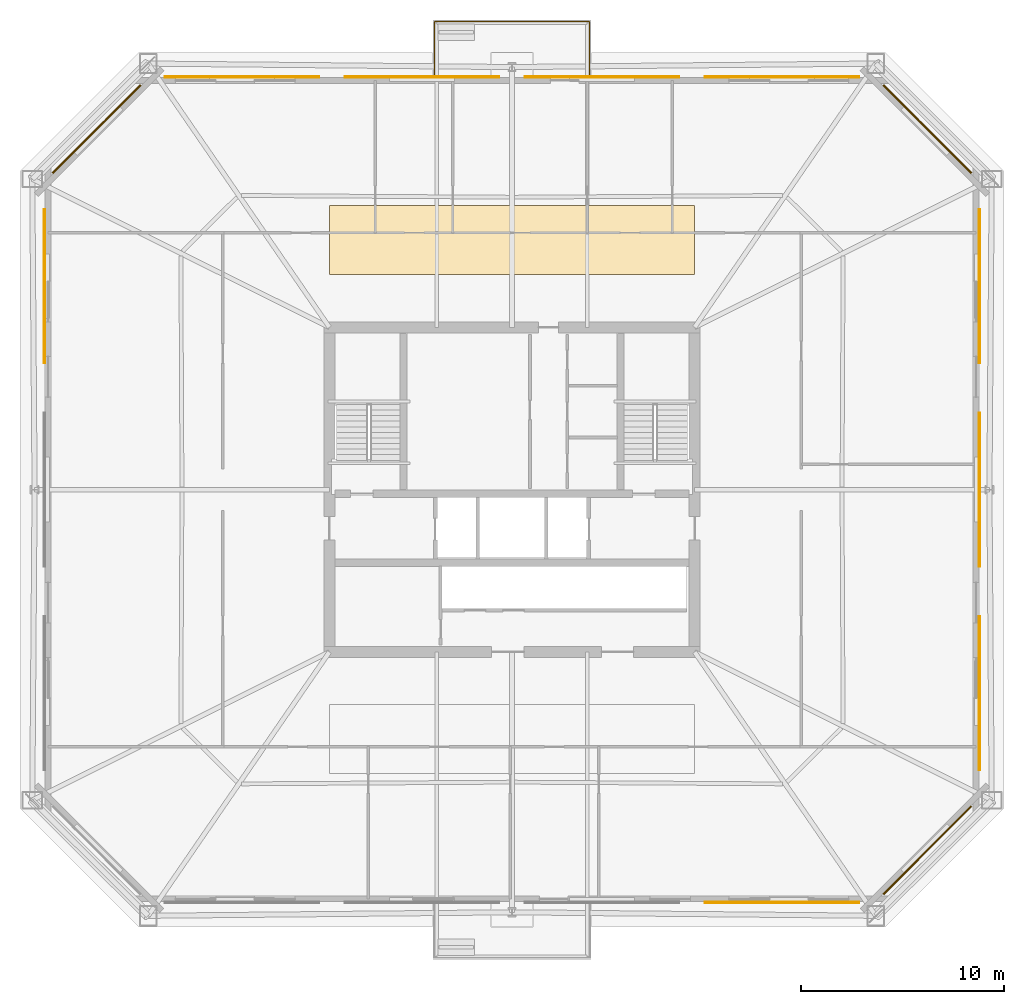
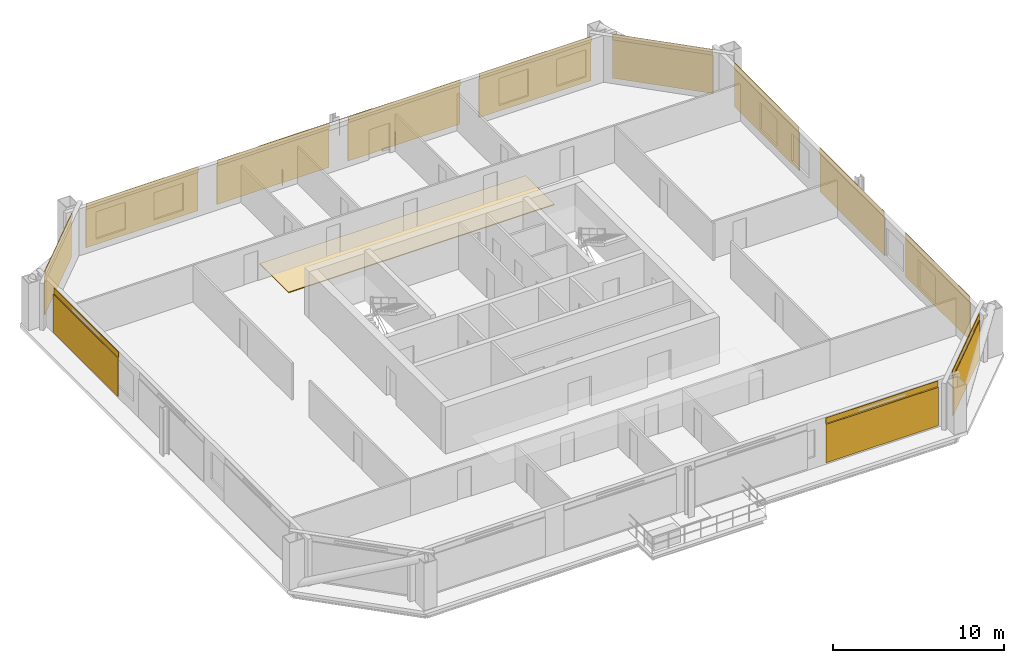
# One storey, part 7 of 7: 13 coverings, 12 shading devices, 1 railing.
"""IFC4 building model written with IfcOpenShell, lengths in metres."""

from ifc_helpers import new_model, si_unit, direction, frame, origin, origin_2d, place, context, subcontext, project, spatial, polyline, rectangle, circle, outline, extrude, material, layer, layer_set, type_object, element, save


model = new_model("IFC4")

# Units and contexts
model_context = context("Model", 3, precision=1e-05, world=origin(), true_north=direction((0.0, 1.0)))
body_context = subcontext(model_context, "Body", "Model", "MODEL_VIEW")
ifc_project = project(units=[si_unit("LENGTHUNIT", "METRE"), si_unit("AREAUNIT", "SQUARE_METRE"), si_unit("VOLUMEUNIT", "CUBIC_METRE"), si_unit("PLANEANGLEUNIT", "RADIAN"), si_unit("MASSUNIT", "GRAM", prefix="KILO")], contexts=[model_context])

# Site, building, storey
site_placement = place(None, origin())
site = spatial("IfcSite", under=ifc_project, at=site_placement, CompositionType="ELEMENT")
building_placement = place(site_placement, origin())
building = spatial("IfcBuilding", under=site, at=building_placement, Name="Caelvoria Tower", CompositionType="ELEMENT")
storey_placement = place(building_placement, frame((0.0, 0.0, 109.60009765625)))
storey = spatial("IfcBuildingStorey", under=building, at=storey_placement, Name="L28", CompositionType="ELEMENT", Elevation=109.60009765625)

# Railing
ifc_material_1 = material(Name="Bronze Anodised Aluminium and Stainless Steel", Category="steel")
railing_type = type_object("IfcRailingType", Name="Exterior Terrace and Balcony Guardrail 1150", PredefinedType="GUARDRAIL", material=ifc_material_1)
railing_placement = place(storey_placement, frame((42.179931640625, 52.31005859375, 0.0)))
element("IfcRailing", 1, at=railing_placement, inside=storey, type_object=railing_type, Name="Tree Balcony Guardrail TB-L28-N", PredefinedType="GUARDRAIL", context=body_context, shape_type="SweptSolid", body=[
    extrude(circle(Radius=0.02392578125, at=origin_2d()), frame((0.0, 0.0, 1.1259765625), z_axis=(0.0, 1.0, 0.0), x_axis=(-1.0, 0.0, 0.0)), (0.0, 0.0, 1.0), 2.760009765625),
    extrude(circle(Radius=0.02392578125, at=origin_2d()), frame((0.0, 0.0, 0.574951171875), z_axis=(0.0, 1.0, 0.0), x_axis=(-1.0, 0.0, 0.0)), (0.0, 0.0, 1.0), 2.760009765625),
    extrude(circle(Radius=0.02392578125, at=origin_2d()), frame((0.0, 2.760009765625, 1.1259765625), z_axis=(1.0, 0.0, 0.0), x_axis=(0.0, 1.0, 0.0)), (0.0, 0.0, 1.0), 7.64013671875),
    extrude(circle(Radius=0.02392578125, at=origin_2d()), frame((0.0, 2.760009765625, 0.574951171875), z_axis=(1.0, 0.0, 0.0), x_axis=(0.0, 1.0, 0.0)), (0.0, 0.0, 1.0), 7.64013671875),
    extrude(circle(Radius=0.02392578125, at=origin_2d()), frame((7.64013671875, 2.760009765625, 1.1259765625), z_axis=(0.0, -1.0, 0.0), x_axis=(1.0, 0.0, 0.0)), (0.0, 0.0, 1.0), 2.760009765625),
    extrude(circle(Radius=0.02392578125, at=origin_2d()), frame((7.64013671875, 2.760009765625, 0.574951171875), z_axis=(0.0, -1.0, 0.0), x_axis=(1.0, 0.0, 0.0)), (0.0, 0.0, 1.0), 2.760009765625),
    extrude(circle(Radius=0.02099609375, at=origin_2d()), origin(), (0.0, 0.0, 1.0), 1.101806640625),
    extrude(circle(Radius=0.02099609375, at=origin_2d()), frame((0.0, 0.919921875, 0.0)), (0.0, 0.0, 1.0), 1.101806640625),
    extrude(circle(Radius=0.02099609375, at=origin_2d()), frame((0.0, 1.840087890625, 0.0)), (0.0, 0.0, 1.0), 1.101806640625),
    extrude(circle(Radius=0.02099609375, at=origin_2d()), frame((0.0, 2.760009765625, 0.0)), (0.0, 0.0, 1.0), 1.101806640625),
    extrude(circle(Radius=0.02099609375, at=origin_2d()), frame((1.091552734375, 2.760009765625, 0.0)), (0.0, 0.0, 1.0), 1.101806640625),
    extrude(circle(Radius=0.02099609375, at=origin_2d()), frame((2.182861328125, 2.760009765625, 0.0)), (0.0, 0.0, 1.0), 1.101806640625),
    extrude(circle(Radius=0.02099609375, at=origin_2d()), frame((3.2744140625, 2.760009765625, 0.0)), (0.0, 0.0, 1.0), 1.101806640625),
    extrude(circle(Radius=0.02099609375, at=origin_2d()), frame((4.36572265625, 2.760009765625, 0.0)), (0.0, 0.0, 1.0), 1.101806640625),
    extrude(circle(Radius=0.02099609375, at=origin_2d()), frame((5.457275390625, 2.760009765625, 0.0)), (0.0, 0.0, 1.0), 1.101806640625),
    extrude(circle(Radius=0.02099609375, at=origin_2d()), frame((6.548583984375, 2.760009765625, 0.0)), (0.0, 0.0, 1.0), 1.101806640625),
    extrude(circle(Radius=0.02099609375, at=origin_2d()), frame((7.64013671875, 2.760009765625, 0.0)), (0.0, 0.0, 1.0), 1.101806640625),
    extrude(circle(Radius=0.02099609375, at=origin_2d()), frame((7.64013671875, 1.840087890625, 0.0)), (0.0, 0.0, 1.0), 1.101806640625),
    extrude(circle(Radius=0.02099609375, at=origin_2d()), frame((7.64013671875, 0.919921875, 0.0)), (0.0, 0.0, 1.0), 1.101806640625),
    extrude(circle(Radius=0.02099609375, at=origin_2d()), frame((7.64013671875, 0.0, 0.0)), (0.0, 0.0, 1.0), 1.101806640625),
])

# Coverings
ifc_material_2 = material(Name="Perforated Architectural Bronze Cladding Screen", Category="bronze")
ifc_layer_1 = layer(ifc_material_2, 0.0400390625, Name="Perforated Architectural Bronze Cladding Screen")
ifc_layer_set_1 = layer_set([ifc_layer_1], Name="Perforated Bronze Louvre Cladding Band 40 - Perforated Architectural Bronze Cladding Screen")
covering_type_1 = type_object("IfcCoveringType", Name="Perforated Bronze Louvre Cladding Band 40", PredefinedType="CLADDING", material=ifc_layer_set_1)
covering_1_placement = place(storey_placement, frame((59.304931640625, 11.677978515625, 2.93994140625), z_axis=(0.0, 0.0, 1.0), x_axis=(1.0, 0.0, 0.0)))
element("IfcCovering", 2, at=covering_1_placement, inside=storey, type_object=covering_type_1, Name="Perforated Bronze Screen Band L28-E0-03", PredefinedType="CLADDING", context=body_context, shape_type="SweptSolid", body=[
    extrude(rectangle(XDim=7.60009765625, YDim=0.0400390625, at=origin_2d()), origin(), (0.0, 0.0, 1.0), 0.39990234375),
])
covering_2_placement = place(storey_placement, frame((66.456787109375, 14.243408203125, 2.93994140625), z_axis=(0.0, 0.0, 1.0), x_axis=(0.707106781187, 0.707106781187, 0.0)))
element("IfcCovering", 3, at=covering_2_placement, inside=storey, type_object=covering_type_1, Name="Perforated Bronze Screen Band L28-E1-00", PredefinedType="CLADDING", context=body_context, shape_type="SweptSolid", body=[
    extrude(rectangle(XDim=6.118896484375, YDim=0.0400390625, at=origin_2d()), origin(), (0.0, 0.0, 1.0), 0.39990234375),
])
for number, where, z_axis, x_axis, name in (
    (4, (69.02197265625, 21.973388671875, 2.93994140625), (0.0, 0.0, 1.0), (0.0, 1.0, 0.0), "Perforated Bronze Screen Band L28-E2-00"),
    (5, (69.02197265625, 32.0, 2.93994140625), (0.0, 0.0, 1.0), (0.0, 1.0, 0.0), "Perforated Bronze Screen Band L28-E2-01"),
    (6, (69.02197265625, 42.026611328125, 2.93994140625), (0.0, 0.0, 1.0), (0.0, 1.0, 0.0), "Perforated Bronze Screen Band L28-E2-02"),
):
    element("IfcCovering", number, at=place(storey_placement, frame(where, z_axis=z_axis, x_axis=x_axis)), inside=storey, type_object=covering_type_1, Name=name, PredefinedType="CLADDING", context=body_context, shape_type="SweptSolid", body=[
        extrude(rectangle(XDim=7.60009765625, YDim=0.0400390625, at=origin_2d()), origin(), (0.0, 0.0, 1.0), 0.39990234375),
    ])
covering_3_placement = place(storey_placement, frame((66.456787109375, 49.756591796875, 2.93994140625), z_axis=(0.0, 0.0, 1.0), x_axis=(-0.707106781187, 0.707106781187, 0.0)))
element("IfcCovering", 7, at=covering_3_placement, inside=storey, type_object=covering_type_1, Name="Perforated Bronze Screen Band L28-E3-00", PredefinedType="CLADDING", context=body_context, shape_type="SweptSolid", body=[
    extrude(rectangle(XDim=6.118896484375, YDim=0.0400390625, at=origin_2d()), origin(), (0.0, 0.0, 1.0), 0.39990234375),
])
for number, where, z_axis, x_axis, name in (
    (8, (59.304931640625, 52.322021484375, 2.93994140625), (0.0, 0.0, 1.0), (-1.0, 0.0, 0.0), "Perforated Bronze Screen Band L28-E4-00"),
    (9, (50.43505859375, 52.322021484375, 2.93994140625), (0.0, 0.0, 1.0), (-1.0, 0.0, 0.0), "Perforated Bronze Screen Band L28-E4-01"),
    (10, (41.56494140625, 52.322021484375, 2.93994140625), (0.0, 0.0, 1.0), (-1.0, 0.0, 0.0), "Perforated Bronze Screen Band L28-E4-02"),
    (11, (32.695068359375, 52.322021484375, 2.93994140625), (0.0, 0.0, 1.0), (-1.0, 0.0, 0.0), "Perforated Bronze Screen Band L28-E4-03"),
):
    element("IfcCovering", number, at=place(storey_placement, frame(where, z_axis=z_axis, x_axis=x_axis)), inside=storey, type_object=covering_type_1, Name=name, PredefinedType="CLADDING", context=body_context, shape_type="SweptSolid", body=[
        extrude(rectangle(XDim=7.60009765625, YDim=0.0400390625, at=origin_2d()), origin(), (0.0, 0.0, 1.0), 0.39990234375),
    ])
covering_4_placement = place(storey_placement, frame((25.543212890625, 49.756591796875, 2.93994140625), z_axis=(0.0, 0.0, 1.0), x_axis=(-0.707106781187, -0.707106781187, 0.0)))
element("IfcCovering", 12, at=covering_4_placement, inside=storey, type_object=covering_type_1, Name="Perforated Bronze Screen Band L28-E5-00", PredefinedType="CLADDING", context=body_context, shape_type="SweptSolid", body=[
    extrude(rectangle(XDim=6.118896484375, YDim=0.0400390625, at=origin_2d()), origin(), (0.0, 0.0, 1.0), 0.39990234375),
])
covering_5_placement = place(storey_placement, frame((22.97802734375, 42.026611328125, 2.93994140625), z_axis=(0.0, 0.0, 1.0), x_axis=(0.0, -1.0, 0.0)))
element("IfcCovering", 13, at=covering_5_placement, inside=storey, type_object=covering_type_1, Name="Perforated Bronze Screen Band L28-E6-00", PredefinedType="CLADDING", context=body_context, shape_type="SweptSolid", body=[
    extrude(rectangle(XDim=7.60009765625, YDim=0.0400390625, at=origin_2d()), origin(), (0.0, 0.0, 1.0), 0.39990234375),
])

# Shading devices
ifc_material_3 = material(Name="Perforated Architectural Bronze Alloy Panel", Category="bronze")
ifc_layer_2 = layer(ifc_material_3, 0.044921875, Name="Perforated Architectural Bronze Alloy Panel")
ifc_layer_set_2 = layer_set([ifc_layer_2], Name="Perforated Bronze Solar Screen Panel SCREEN - Perforated Architectural Bronze Alloy Panel")
shading_device_type = type_object("IfcShadingDeviceType", Name="Perforated Bronze Solar Screen Panel SCREEN", PredefinedType="USERDEFINED", material=ifc_layer_set_2)
shading_device_1_placement = place(storey_placement, frame((59.304931640625, 11.635009765625, 0.159912109375), z_axis=(0.0, 0.0, 1.0), x_axis=(1.0, 0.0, 0.0)))
element("IfcShadingDevice", 14, at=shading_device_1_placement, inside=storey, type_object=shading_device_type, Name="Perforated Bronze Solar Screen L28-E0-03", ObjectType="SCREEN", PredefinedType="USERDEFINED", context=body_context, shape_type="SweptSolid", body=[
    extrude(rectangle(XDim=7.60009765625, YDim=0.044921875, at=origin_2d()), origin(), (0.0, 0.0, 1.0), 2.75),
])
shading_device_2_placement = place(storey_placement, frame((66.487060546875, 14.212890625, 0.159912109375), z_axis=(0.0, 0.0, 1.0), x_axis=(0.707106781187, 0.707106781187, 0.0)))
element("IfcShadingDevice", 15, at=shading_device_2_placement, inside=storey, type_object=shading_device_type, Name="Perforated Bronze Solar Screen L28-E1-00", ObjectType="SCREEN", PredefinedType="USERDEFINED", context=body_context, shape_type="SweptSolid", body=[
    extrude(rectangle(XDim=6.118896484375, YDim=0.044921875, at=origin_2d()), origin(), (0.0, 0.0, 1.0), 2.75),
])
for number, where, z_axis, x_axis, name in (
    (16, (69.06494140625, 21.973388671875, 0.159912109375), (0.0, 0.0, 1.0), (0.0, 1.0, 0.0), "Perforated Bronze Solar Screen L28-E2-00"),
    (17, (69.06494140625, 32.0, 0.159912109375), (0.0, 0.0, 1.0), (0.0, 1.0, 0.0), "Perforated Bronze Solar Screen L28-E2-01"),
    (18, (69.06494140625, 42.026611328125, 0.159912109375), (0.0, 0.0, 1.0), (0.0, 1.0, 0.0), "Perforated Bronze Solar Screen L28-E2-02"),
):
    element("IfcShadingDevice", number, at=place(storey_placement, frame(where, z_axis=z_axis, x_axis=x_axis)), inside=storey, type_object=shading_device_type, Name=name, ObjectType="SCREEN", PredefinedType="USERDEFINED", context=body_context, shape_type="SweptSolid", body=[
        extrude(rectangle(XDim=7.60009765625, YDim=0.044921875, at=origin_2d()), origin(), (0.0, 0.0, 1.0), 2.75),
    ])
shading_device_3_placement = place(storey_placement, frame((66.487060546875, 49.787109375, 0.159912109375), z_axis=(0.0, 0.0, 1.0), x_axis=(-0.707106781187, 0.707106781187, 0.0)))
element("IfcShadingDevice", 19, at=shading_device_3_placement, inside=storey, type_object=shading_device_type, Name="Perforated Bronze Solar Screen L28-E3-00", ObjectType="SCREEN", PredefinedType="USERDEFINED", context=body_context, shape_type="SweptSolid", body=[
    extrude(rectangle(XDim=6.118896484375, YDim=0.044921875, at=origin_2d()), origin(), (0.0, 0.0, 1.0), 2.75),
])
for number, where, z_axis, x_axis, name in (
    (20, (59.304931640625, 52.364990234375, 0.159912109375), (0.0, 0.0, 1.0), (-1.0, 0.0, 0.0), "Perforated Bronze Solar Screen L28-E4-00"),
    (21, (50.43505859375, 52.364990234375, 0.159912109375), (0.0, 0.0, 1.0), (-1.0, 0.0, 0.0), "Perforated Bronze Solar Screen L28-E4-01"),
    (22, (41.56494140625, 52.364990234375, 0.159912109375), (0.0, 0.0, 1.0), (-1.0, 0.0, 0.0), "Perforated Bronze Solar Screen L28-E4-02"),
    (23, (32.695068359375, 52.364990234375, 0.159912109375), (0.0, 0.0, 1.0), (-1.0, 0.0, 0.0), "Perforated Bronze Solar Screen L28-E4-03"),
):
    element("IfcShadingDevice", number, at=place(storey_placement, frame(where, z_axis=z_axis, x_axis=x_axis)), inside=storey, type_object=shading_device_type, Name=name, ObjectType="SCREEN", PredefinedType="USERDEFINED", context=body_context, shape_type="SweptSolid", body=[
        extrude(rectangle(XDim=7.60009765625, YDim=0.044921875, at=origin_2d()), origin(), (0.0, 0.0, 1.0), 2.75),
    ])
shading_device_4_placement = place(storey_placement, frame((25.512939453125, 49.787109375, 0.159912109375), z_axis=(0.0, 0.0, 1.0), x_axis=(-0.707106781187, -0.707106781187, 0.0)))
element("IfcShadingDevice", 24, at=shading_device_4_placement, inside=storey, type_object=shading_device_type, Name="Perforated Bronze Solar Screen L28-E5-00", ObjectType="SCREEN", PredefinedType="USERDEFINED", context=body_context, shape_type="SweptSolid", body=[
    extrude(rectangle(XDim=6.118896484375, YDim=0.044921875, at=origin_2d()), origin(), (0.0, 0.0, 1.0), 2.75),
])
shading_device_5_placement = place(storey_placement, frame((22.93505859375, 42.026611328125, 0.159912109375), z_axis=(0.0, 0.0, 1.0), x_axis=(0.0, -1.0, 0.0)))
element("IfcShadingDevice", 25, at=shading_device_5_placement, inside=storey, type_object=shading_device_type, Name="Perforated Bronze Solar Screen L28-E6-00", ObjectType="SCREEN", PredefinedType="USERDEFINED", context=body_context, shape_type="SweptSolid", body=[
    extrude(rectangle(XDim=7.60009765625, YDim=0.044921875, at=origin_2d()), origin(), (0.0, 0.0, 1.0), 2.75),
])

# Covering
ifc_material_4 = material(Name="Calcium-Sulphate Raised Floor Tile", Category="gypsum")
ifc_layer_3 = layer(ifc_material_4, 0.06005859375, Name="Calcium-Sulphate Raised Floor Tile")
ifc_layer_set_3 = layer_set([ifc_layer_3], Name="Raised Access Office Floor System 120 - Calcium-Sulphate Raised Floor Tile")
covering_type_2 = type_object("IfcCoveringType", Name="Raised Access Office Floor System 120", PredefinedType="FLOORING", material=ifc_layer_set_3)
covering_6_placement = place(storey_placement, origin())
element("IfcCovering", 26, at=covering_6_placement, inside=storey, type_object=covering_type_2, Name="Raised Access Flooring L28", PredefinedType="FLOORING", context=body_context, shape_type="SweptSolid", body=[
    extrude(outline(polyline([(37.0, 42.60009765625), (55.0, 42.60009765625), (55.0, 46.0), (37.0, 46.0), (37.0, 42.60009765625)])), origin(), (0.0, 0.0, 1.0), 0.059814453125),
])

save(model, "model.ifc")
